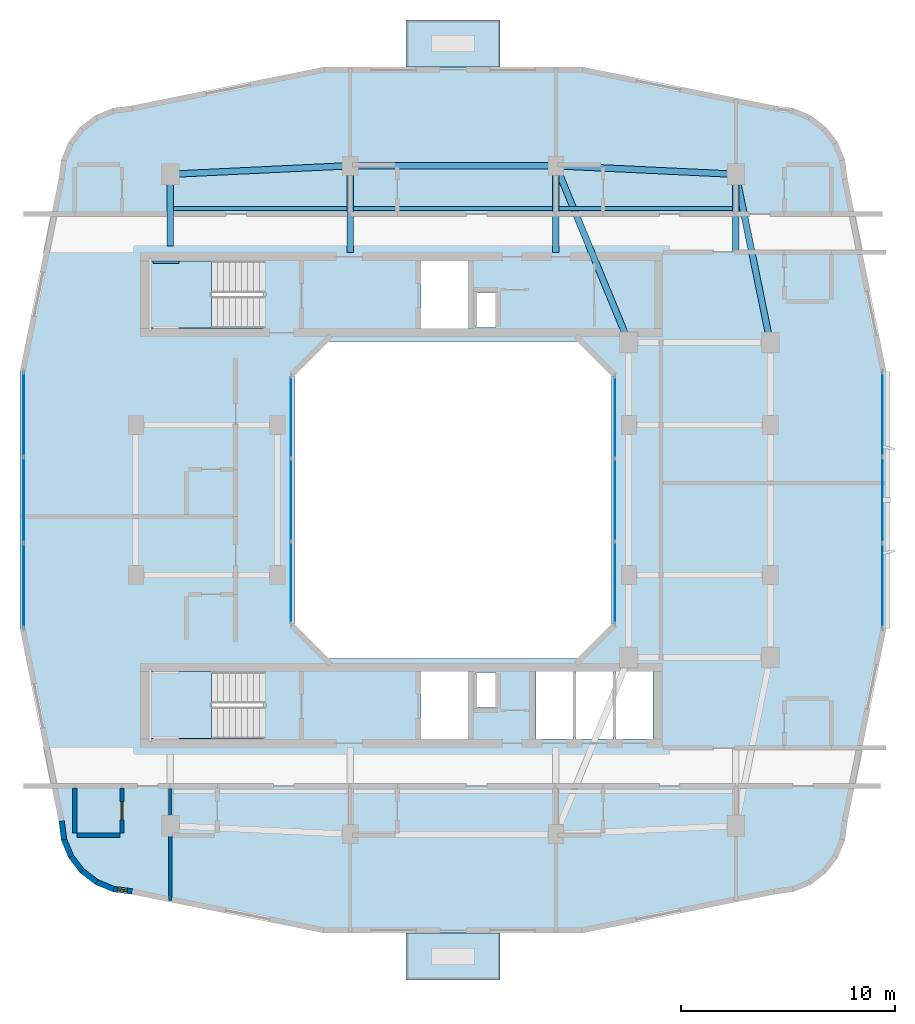
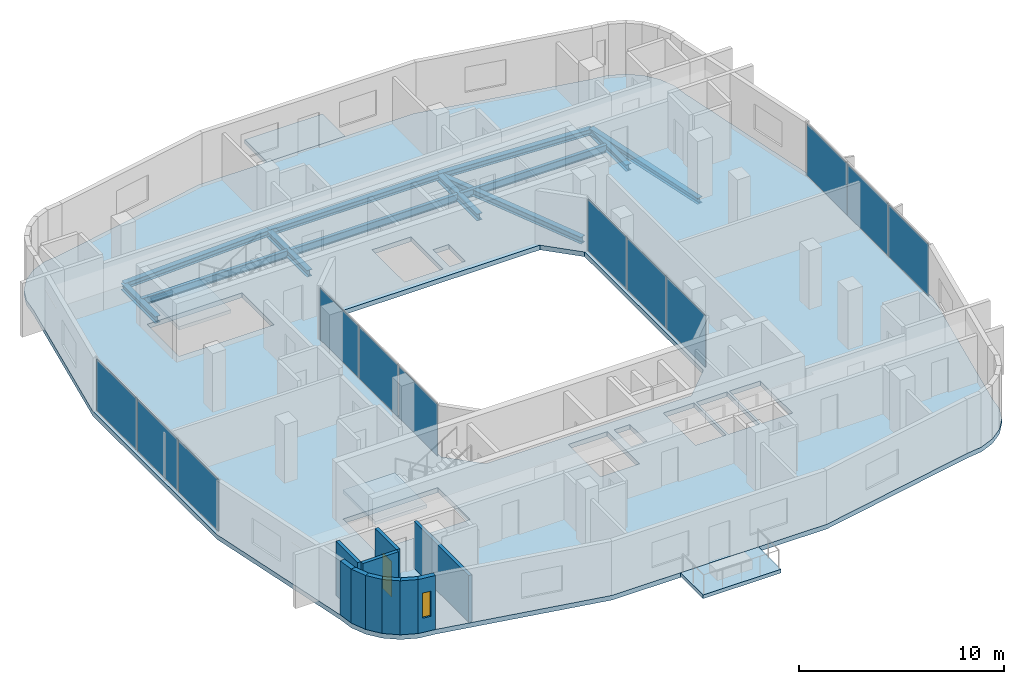
# One storey, part 4 of 13: 13 beams, 12 plates, 10 walls, 5 slabs, 1 door, 1 window, 2 openings, 6 elements without a shape of their own.
"""IFC4 building model written with IfcOpenShell, lengths in metres."""

from ifc_helpers import new_model, si_unit, derived_unit, direction, frame, frame_2d, origin, origin_2d, place, context, subcontext, project, spatial, polyline, rectangle, i_section, outline, extrude, material, layer, layer_set, material_profile, profile_set, type_object, element, fill, aggregate, save


model = new_model("IFC4")

# Units and contexts
model_context = context("Model", 3, precision=1e-05, world=origin(), true_north=direction((0.0, 1.0)))
body_context = subcontext(model_context, "Body", "Model", "MODEL_VIEW")
ifc_project = project(units=[si_unit("LENGTHUNIT", "METRE"), si_unit("AREAUNIT", "SQUARE_METRE"), si_unit("VOLUMEUNIT", "CUBIC_METRE"), si_unit("PLANEANGLEUNIT", "RADIAN"), si_unit("MASSUNIT", "GRAM", prefix="KILO"), derived_unit("THERMALTRANSMITTANCEUNIT", [(si_unit("POWERUNIT", "WATT"), 1), (si_unit("LENGTHUNIT", "METRE"), -2), (si_unit("THERMODYNAMICTEMPERATUREUNIT", "KELVIN"), -1)])], contexts=[model_context])

# Site, building, storey
site_placement = place(None, origin())
site = spatial("IfcSite", under=ifc_project, at=site_placement, CompositionType="ELEMENT")
building_placement = place(site_placement, origin())
building = spatial("IfcBuilding", under=site, at=building_placement, Name="Kivonza Crest Hotel", CompositionType="ELEMENT")
storey_placement = place(building_placement, frame((0.0, 0.0, 155.5)))
storey = spatial("IfcBuildingStorey", under=building, at=storey_placement, Name="L42", CompositionType="ELEMENT", Elevation=155.5)

# Beams
ifc_material_1 = material(Name="Steel S355", Category="steel")
ifc_material_profile_1 = material_profile(ifc_material_1, i_section(OverallWidth=0.300048828125, OverallDepth=0.360107421875, WebThickness=0.012451171875, FlangeThickness=0.0224609375, FilletRadius=0.027099609375, at=origin_2d()), Name="HEB 360")
ifc_profile_set_1 = profile_set([ifc_material_profile_1], Name="Steel S355")
beam_type_1 = type_object("IfcBeamType", Name="BM-HEB360", PredefinedType="SPANDREL", material=ifc_profile_set_1)
beam_1_placement = place(storey_placement, frame((35.800048828125, 32.35009765625, -0.4599609375), z_axis=(-0.199730733965, 0.979850822273, 0.0), x_axis=(-0.979850822273, -0.199730733965, 0.0)))
element("IfcBeam", 1, at=beam_1_placement, inside=storey, type_object=beam_type_1, Name="Tower T1 L42 perimeter spandrel PNE-NE", PredefinedType="SPANDREL", context=body_context, shape_type="SweptSolid", body=[
    extrude(i_section(OverallWidth=0.300048828125, OverallDepth=0.360107421875, WebThickness=0.012451171875, FlangeThickness=0.0224609375, FilletRadius=0.027099609375, at=origin_2d()), origin(), (0.0, 0.0, 1.0), 8.01123046875),
])
beam_2_placement = place(storey_placement, frame((34.199951171875, 40.199951171875, -0.4599609375), z_axis=(-0.998867283688, 0.047583080799, 0.0), x_axis=(-0.047583080799, -0.998867283688, 0.0)))
element("IfcBeam", 2, at=beam_2_placement, inside=storey, type_object=beam_type_1, Name="Tower T1 L42 perimeter spandrel NE-N2", PredefinedType="SPANDREL", context=body_context, shape_type="SweptSolid", body=[
    extrude(i_section(OverallWidth=0.300048828125, OverallDepth=0.360107421875, WebThickness=0.012451171875, FlangeThickness=0.0224609375, FilletRadius=0.027099609375, at=origin_2d()), origin(), (0.0, 0.0, 1.0), 8.409423828125),
])
beam_3_placement = place(storey_placement, frame((25.800048828125, 40.60009765625, -0.4599609375), z_axis=(-1.0, 0.0, 0.0), x_axis=(0.0, -1.0, 0.0)))
element("IfcBeam", 3, at=beam_3_placement, inside=storey, type_object=beam_type_1, Name="Tower T1 L42 perimeter spandrel N2-N1", PredefinedType="SPANDREL", context=body_context, shape_type="SweptSolid", body=[
    extrude(i_section(OverallWidth=0.300048828125, OverallDepth=0.360107421875, WebThickness=0.012451171875, FlangeThickness=0.0224609375, FilletRadius=0.027099609375, at=origin_2d()), origin(), (0.0, 0.0, 1.0), 9.60009765625),
])
beam_4_placement = place(storey_placement, frame((16.199951171875, 40.60009765625, -0.4599609375), z_axis=(-0.998867283688, -0.047583080799, 0.0), x_axis=(0.047583080799, -0.998867283688, 0.0)))
element("IfcBeam", 4, at=beam_4_placement, inside=storey, type_object=beam_type_1, Name="Tower T1 L42 perimeter spandrel N1-NW", PredefinedType="SPANDREL", context=body_context, shape_type="SweptSolid", body=[
    extrude(i_section(OverallWidth=0.300048828125, OverallDepth=0.360107421875, WebThickness=0.012451171875, FlangeThickness=0.0224609375, FilletRadius=0.027099609375, at=origin_2d()), origin(), (0.0, 0.0, 1.0), 8.409423828125),
])
ifc_material_profile_2 = material_profile(ifc_material_1, i_section(OverallWidth=0.300048828125, OverallDepth=0.39990234375, WebThickness=0.013427734375, FlangeThickness=0.02392578125, FilletRadius=0.027099609375, at=origin_2d()), Name="HEB 400")
ifc_profile_set_2 = profile_set([ifc_material_profile_2], Name="Steel S355")
beam_type_2 = type_object("IfcBeamType", Name="BM-HEB400", PredefinedType="BEAM", material=ifc_profile_set_2)
beam_5_placement = place(storey_placement, frame((25.800048828125, 40.60009765625, -0.47998046875), z_axis=(0.381022260404, -0.924565864109, 0.0), x_axis=(0.924565864109, 0.381022260404, 0.0)))
element("IfcBeam", 5, at=beam_5_placement, inside=storey, type_object=beam_type_2, Name="Tower T1 L42 primary girder N1-TNE", PredefinedType="BEAM", context=body_context, shape_type="SweptSolid", body=[
    extrude(i_section(OverallWidth=0.300048828125, OverallDepth=0.39990234375, WebThickness=0.013427734375, FlangeThickness=0.02392578125, FilletRadius=0.027099609375, at=origin_2d()), origin(), (0.0, 0.0, 1.0), 8.923095703125),
])
beam_6_placement = place(storey_placement, frame((7.800048828125, 40.199951171875, -0.47998046875), z_axis=(0.0, -1.0, 0.0), x_axis=(1.0, 0.0, 0.0)))
element("IfcBeam", 6, at=beam_6_placement, inside=storey, type_object=beam_type_2, Name="Tower T1 L42 radial core girder RNW", PredefinedType="BEAM", context=body_context, shape_type="SweptSolid", body=[
    extrude(i_section(OverallWidth=0.300048828125, OverallDepth=0.39990234375, WebThickness=0.013427734375, FlangeThickness=0.02392578125, FilletRadius=0.027099609375, at=origin_2d()), origin(), (0.0, 0.0, 1.0), 3.349853515625),
])
for number, where, z_axis, x_axis, name in (
    (7, (16.199951171875, 40.60009765625, -0.47998046875), (0.0, -1.0, 0.0), (1.0, 0.0, 0.0), "Tower T1 L42 radial core girder RN1"),
    (8, (25.800048828125, 40.60009765625, -0.47998046875), (0.0, -1.0, 0.0), (1.0, 0.0, 0.0), "Tower T1 L42 radial core girder RN2"),
):
    element("IfcBeam", number, at=place(storey_placement, frame(where, z_axis=z_axis, x_axis=x_axis)), inside=storey, type_object=beam_type_2, Name=name, PredefinedType="BEAM", context=body_context, shape_type="SweptSolid", body=[
        extrude(i_section(OverallWidth=0.300048828125, OverallDepth=0.39990234375, WebThickness=0.013427734375, FlangeThickness=0.02392578125, FilletRadius=0.027099609375, at=origin_2d()), origin(), (0.0, 0.0, 1.0), 4.050048828125),
    ])
beam_7_placement = place(storey_placement, frame((34.199951171875, 40.199951171875, -0.47998046875), z_axis=(0.0, -1.0, 0.0), x_axis=(1.0, 0.0, 0.0)))
element("IfcBeam", 9, at=beam_7_placement, inside=storey, type_object=beam_type_2, Name="Tower T1 L42 radial core girder RNE", PredefinedType="BEAM", context=body_context, shape_type="SweptSolid", body=[
    extrude(i_section(OverallWidth=0.300048828125, OverallDepth=0.39990234375, WebThickness=0.013427734375, FlangeThickness=0.02392578125, FilletRadius=0.027099609375, at=origin_2d()), origin(), (0.0, 0.0, 1.0), 3.64990234375),
])
ifc_material_profile_3 = material_profile(ifc_material_1, i_section(OverallWidth=0.18994140625, OverallDepth=0.449951171875, WebThickness=0.009521484375, FlangeThickness=0.0146484375, FilletRadius=0.02099609375, at=origin_2d()), Name="IPE 450")
ifc_profile_set_3 = profile_set([ifc_material_profile_3], Name="Steel S355")
beam_type_3 = type_object("IfcBeamType", Name="BM-IPE450", PredefinedType="JOIST", material=ifc_profile_set_3)
beam_8_placement = place(storey_placement, frame((7.8798828125, 38.60009765625, -0.5048828125), z_axis=(1.0, 0.0, 0.0), x_axis=(0.0, 1.0, 0.0)))
element("IfcBeam", 10, at=beam_8_placement, inside=storey, type_object=beam_type_3, Name="Tower T1 L42 North-West floor joist", PredefinedType="JOIST", context=body_context, shape_type="SweptSolid", body=[
    extrude(i_section(OverallWidth=0.18994140625, OverallDepth=0.449951171875, WebThickness=0.009521484375, FlangeThickness=0.0146484375, FilletRadius=0.02099609375, at=origin_2d()), origin(), (0.0, 0.0, 1.0), 8.240234375),
])
beam_9_placement = place(storey_placement, frame((16.280029296875, 38.60009765625, -0.5048828125), z_axis=(1.0, 0.0, 0.0), x_axis=(0.0, 1.0, 0.0)))
element("IfcBeam", 11, at=beam_9_placement, inside=storey, type_object=beam_type_3, Name="Tower T1 L42 North-Mid floor joist", PredefinedType="JOIST", context=body_context, shape_type="SweptSolid", body=[
    extrude(i_section(OverallWidth=0.18994140625, OverallDepth=0.449951171875, WebThickness=0.009521484375, FlangeThickness=0.0146484375, FilletRadius=0.02099609375, at=origin_2d()), origin(), (0.0, 0.0, 1.0), 9.43994140625),
])
beam_10_placement = place(storey_placement, frame((25.8798828125, 38.60009765625, -0.5048828125), z_axis=(1.0, 0.0, 0.0), x_axis=(0.0, 1.0, 0.0)))
element("IfcBeam", 12, at=beam_10_placement, inside=storey, type_object=beam_type_3, Name="Tower T1 L42 North-East floor joist", PredefinedType="JOIST", context=body_context, shape_type="SweptSolid", body=[
    extrude(i_section(OverallWidth=0.18994140625, OverallDepth=0.449951171875, WebThickness=0.009521484375, FlangeThickness=0.0146484375, FilletRadius=0.02099609375, at=origin_2d()), origin(), (0.0, 0.0, 1.0), 8.240234375),
])
ifc_material_profile_4 = material_profile(ifc_material_1, i_section(OverallWidth=0.1201171875, OverallDepth=0.239990234375, WebThickness=0.006103515625, FlangeThickness=0.009765625, FilletRadius=0.014892578125, at=origin_2d()), Name="IPE 240")
ifc_profile_set_4 = profile_set([ifc_material_profile_4], Name="Steel S355")
beam_type_4 = type_object("IfcBeamType", Name="BM-LLDG-240", PredefinedType="BEAM", material=ifc_profile_set_4)
beam_11_placement = place(storey_placement, frame((6.989990234375, 36.10009765625, 1.429931640625), z_axis=(1.0, 0.0, 0.0), x_axis=(0.0, 1.0, 0.0)))
element("IfcBeam", 13, at=beam_11_placement, inside=storey, type_object=beam_type_4, Name="Stair ST-T1-N L42 North landing corbel", PredefinedType="BEAM", context=body_context, shape_type="SweptSolid", body=[
    extrude(i_section(OverallWidth=0.1201171875, OverallDepth=0.239990234375, WebThickness=0.006103515625, FlangeThickness=0.009765625, FilletRadius=0.014892578125, at=origin_2d()), origin(), (0.0, 0.0, 1.0), 1.2099609375),
])

# Curtain wall, plates
ifc_material_2 = material(Name="Anodised bronze aluminium and low-E double glazing", Category="aluminium")
ifc_layer_1 = layer(ifc_material_2, 0.159912109375)
ifc_layer_set_1 = layer_set([ifc_layer_1], Name="Anodised bronze aluminium and low-E double glazing")
curtain_wall_type_1 = type_object("IfcCurtainWallType", Name="CW-SYS-5", PredefinedType="NOTDEFINED", material=ifc_layer_set_1)
curtain_wall_1_placement = place(storey_placement, origin())
curtain_wall_1 = element("IfcCurtainWall", 14, at=curtain_wall_1_placement, inside=storey, type_object=curtain_wall_type_1, Name="L42 unitised curtain wall CW-WELL-T1-L42-3", PredefinedType="NOTDEFINED")
ifc_material_3 = material(Name="Solar-control low-E double glazing", Category="glass")
ifc_layer_2 = layer(ifc_material_3, 0.028076171875)
ifc_layer_set_2 = layer_set([ifc_layer_2], Name="Solar-control low-E double glazing")
plate_type_1 = type_object("IfcPlateType", Name="CW-PNL-28", PredefinedType="CURTAIN_PANEL", material=ifc_layer_set_2)
plate_1_placement = place(storey_placement, frame((28.56005859375, 21.149658203125, 0.06494140625), z_axis=(0.0, 0.0, 1.0), x_axis=(0.0, 1.0, 0.0)))
plate_1 = element("IfcPlate", 15, at=plate_1_placement, type_object=plate_type_1, Name="CW-5 panel 1.1", PredefinedType="CURTAIN_PANEL", context=body_context, shape_type="SweptSolid", body=[
    extrude(rectangle(XDim=3.769287109375, YDim=0.028076171875, at=origin_2d()), origin(), (0.0, 0.0, 1.0), 3.090087890625),
])
plate_2_placement = place(storey_placement, frame((28.56005859375, 25.0, 0.06494140625), z_axis=(0.0, 0.0, 1.0), x_axis=(0.0, 1.0, 0.0)))
plate_2 = element("IfcPlate", 16, at=plate_2_placement, type_object=plate_type_1, Name="CW-5 panel 2.1", PredefinedType="CURTAIN_PANEL", context=body_context, shape_type="SweptSolid", body=[
    extrude(rectangle(XDim=3.8017578125, YDim=0.028076171875, at=origin_2d()), origin(), (0.0, 0.0, 1.0), 3.090087890625),
])
plate_3_placement = place(storey_placement, frame((28.56005859375, 28.850341796875, 0.06494140625), z_axis=(0.0, 0.0, 1.0), x_axis=(0.0, 1.0, 0.0)))
plate_3 = element("IfcPlate", 17, at=plate_3_placement, type_object=plate_type_1, Name="CW-5 panel 3.1", PredefinedType="CURTAIN_PANEL", context=body_context, shape_type="SweptSolid", body=[
    extrude(rectangle(XDim=3.769287109375, YDim=0.028076171875, at=origin_2d()), origin(), (0.0, 0.0, 1.0), 3.090087890625),
])
aggregate(curtain_wall_1, [plate_1, plate_2, plate_3])

curtain_wall_2_placement = place(storey_placement, origin())
curtain_wall_2 = element("IfcCurtainWall", 18, at=curtain_wall_2_placement, inside=storey, type_object=curtain_wall_type_1, Name="L42 unitised curtain wall CW-WELL-T1-L42-7", PredefinedType="NOTDEFINED")
plate_4_placement = place(storey_placement, frame((13.43994140625, 28.850341796875, 0.06494140625), z_axis=(0.0, 0.0, 1.0), x_axis=(0.0, -1.0, 0.0)))
plate_4 = element("IfcPlate", 19, at=plate_4_placement, type_object=plate_type_1, Name="CW-5 panel 1.1", PredefinedType="CURTAIN_PANEL", context=body_context, shape_type="SweptSolid", body=[
    extrude(rectangle(XDim=3.769287109375, YDim=0.028076171875, at=origin_2d()), origin(), (0.0, 0.0, 1.0), 3.090087890625),
])
plate_5_placement = place(storey_placement, frame((13.43994140625, 25.0, 0.06494140625), z_axis=(0.0, 0.0, 1.0), x_axis=(0.0, -1.0, 0.0)))
plate_5 = element("IfcPlate", 20, at=plate_5_placement, type_object=plate_type_1, Name="CW-5 panel 2.1", PredefinedType="CURTAIN_PANEL", context=body_context, shape_type="SweptSolid", body=[
    extrude(rectangle(XDim=3.8017578125, YDim=0.028076171875, at=origin_2d()), origin(), (0.0, 0.0, 1.0), 3.090087890625),
])
plate_6_placement = place(storey_placement, frame((13.43994140625, 21.149658203125, 0.06494140625), z_axis=(0.0, 0.0, 1.0), x_axis=(0.0, -1.0, 0.0)))
plate_6 = element("IfcPlate", 21, at=plate_6_placement, type_object=plate_type_1, Name="CW-5 panel 3.1", PredefinedType="CURTAIN_PANEL", context=body_context, shape_type="SweptSolid", body=[
    extrude(rectangle(XDim=3.769287109375, YDim=0.028076171875, at=origin_2d()), origin(), (0.0, 0.0, 1.0), 3.090087890625),
])
aggregate(curtain_wall_2, [plate_4, plate_5, plate_6])

ifc_layer_3 = layer(ifc_material_2, 0.179931640625)
ifc_layer_set_3 = layer_set([ifc_layer_3], Name="Anodised bronze aluminium and low-E double glazing")
curtain_wall_type_2 = type_object("IfcCurtainWallType", Name="CW-SYS-3", PredefinedType="NOTDEFINED", material=ifc_layer_set_3)
curtain_wall_3_placement = place(storey_placement, origin())
curtain_wall_3 = element("IfcCurtainWall", 22, at=curtain_wall_3_placement, inside=storey, type_object=curtain_wall_type_2, Name="L42 unitised curtain wall CW-T1-L42-17", PredefinedType="NOTDEFINED")
ifc_material_4 = material(Name="Acoustic triple-laminated low-E glazing", Category="glass")
ifc_layer_4 = layer(ifc_material_4, 0.035888671875)
ifc_layer_set_4 = layer_set([ifc_layer_4], Name="Acoustic triple-laminated low-E glazing")
plate_type_2 = type_object("IfcPlateType", Name="CW-PNL-36", PredefinedType="CURTAIN_PANEL", material=ifc_layer_set_4)
plate_7_placement = place(storey_placement, frame((41.0400390625, 21.00537109375, 0.0751953125), z_axis=(0.0, 0.0, 1.0), x_axis=(0.0, 1.0, 0.0)))
plate_7 = element("IfcPlate", 23, at=plate_7_placement, type_object=plate_type_2, Name="CW-3 panel 1.1", PredefinedType="CURTAIN_PANEL", context=body_context, shape_type="SweptSolid", body=[
    extrude(rectangle(XDim=3.90087890625, YDim=0.035888671875, at=origin_2d()), origin(), (0.0, 0.0, 1.0), 3.070068359375),
])
plate_8_placement = place(storey_placement, frame((41.0400390625, 25.0, 0.0751953125), z_axis=(0.0, 0.0, 1.0), x_axis=(0.0, 1.0, 0.0)))
plate_8 = element("IfcPlate", 24, at=plate_8_placement, type_object=plate_type_2, Name="CW-3 panel 2.1", PredefinedType="CURTAIN_PANEL", context=body_context, shape_type="SweptSolid", body=[
    extrude(rectangle(XDim=3.938232421875, YDim=0.035888671875, at=origin_2d()), origin(), (0.0, 0.0, 1.0), 3.070068359375),
])
plate_9_placement = place(storey_placement, frame((41.0400390625, 28.99462890625, 0.0751953125), z_axis=(0.0, 0.0, 1.0), x_axis=(0.0, 1.0, 0.0)))
plate_9 = element("IfcPlate", 25, at=plate_9_placement, type_object=plate_type_2, Name="CW-3 panel 3.1", PredefinedType="CURTAIN_PANEL", context=body_context, shape_type="SweptSolid", body=[
    extrude(rectangle(XDim=3.90087890625, YDim=0.035888671875, at=origin_2d()), origin(), (0.0, 0.0, 1.0), 3.070068359375),
])
aggregate(curtain_wall_3, [plate_7, plate_8, plate_9])

curtain_wall_4_placement = place(storey_placement, origin())
curtain_wall_4 = element("IfcCurtainWall", 26, at=curtain_wall_4_placement, inside=storey, type_object=curtain_wall_type_2, Name="L42 unitised curtain wall CW-T1-L42-35", PredefinedType="NOTDEFINED")
plate_10_placement = place(storey_placement, frame((0.9599609375, 28.99462890625, 0.0751953125), z_axis=(0.0, 0.0, 1.0), x_axis=(0.0, -1.0, 0.0)))
plate_10 = element("IfcPlate", 27, at=plate_10_placement, type_object=plate_type_2, Name="CW-3 panel 1.1", PredefinedType="CURTAIN_PANEL", context=body_context, shape_type="SweptSolid", body=[
    extrude(rectangle(XDim=3.90087890625, YDim=0.035888671875, at=origin_2d()), origin(), (0.0, 0.0, 1.0), 3.070068359375),
])
plate_11_placement = place(storey_placement, frame((0.9599609375, 25.0, 0.0751953125), z_axis=(0.0, 0.0, 1.0), x_axis=(0.0, -1.0, 0.0)))
plate_11 = element("IfcPlate", 28, at=plate_11_placement, type_object=plate_type_2, Name="CW-3 panel 2.1", PredefinedType="CURTAIN_PANEL", context=body_context, shape_type="SweptSolid", body=[
    extrude(rectangle(XDim=3.938232421875, YDim=0.035888671875, at=origin_2d()), origin(), (0.0, 0.0, 1.0), 3.070068359375),
])
plate_12_placement = place(storey_placement, frame((0.9599609375, 21.00537109375, 0.0751953125), z_axis=(0.0, 0.0, 1.0), x_axis=(0.0, -1.0, 0.0)))
plate_12 = element("IfcPlate", 29, at=plate_12_placement, type_object=plate_type_2, Name="CW-3 panel 3.1", PredefinedType="CURTAIN_PANEL", context=body_context, shape_type="SweptSolid", body=[
    extrude(rectangle(XDim=3.90087890625, YDim=0.035888671875, at=origin_2d()), origin(), (0.0, 0.0, 1.0), 3.070068359375),
])
aggregate(curtain_wall_4, [plate_10, plate_11, plate_12])

# Slab
ifc_material_5 = material(Name="Concrete C40/50", Category="concrete")
ifc_layer_5 = layer(ifc_material_5, 0.280029296875)
ifc_layer_set_5 = layer_set([ifc_layer_5], Name="Concrete C40/50")
slab_type_1 = type_object("IfcSlabType", Name="SL-HTL-280", PredefinedType="FLOOR", material=ifc_layer_set_5)
slab_1_placement = place(storey_placement, frame((0.0, 0.0, -0.280029296875)))
element("IfcSlab", 30, at=slab_1_placement, inside=storey, type_object=slab_type_1, Name="Tower T1 L42 floor slab", PredefinedType="FLOOR", context=body_context, shape_type="SweptSolid", body=[
    extrude(outline(polyline([(2.60009765625, 10.0), (2.716064453125, 9.1201171875), (3.055908203125, 8.300048828125), (3.595947265625, 7.595947265625), (4.300048828125, 7.055908203125), (5.1201171875, 6.716064453125), (6.0, 6.60009765625), (14.93994140625, 4.800048828125), (27.06005859375, 4.800048828125), (36.0, 6.60009765625), (36.8798828125, 6.716064453125), (37.699951171875, 7.055908203125), (38.404052734375, 7.595947265625), (38.944091796875, 8.300048828125), (39.283935546875, 9.1201171875), (39.39990234375, 10.0), (41.199951171875, 18.93994140625), (41.199951171875, 31.06005859375), (39.39990234375, 40.0), (39.283935546875, 40.8798828125), (38.944091796875, 41.699951171875), (38.404052734375, 42.404052734375), (37.699951171875, 42.944091796875), (36.8798828125, 43.283935546875), (36.0, 43.39990234375), (27.06005859375, 45.199951171875), (14.93994140625, 45.199951171875), (6.0, 43.39990234375), (5.1201171875, 43.283935546875), (4.300048828125, 42.944091796875), (3.595947265625, 42.404052734375), (3.055908203125, 41.699951171875), (2.716064453125, 40.8798828125), (2.60009765625, 40.0), (0.800048828125, 31.06005859375), (0.800048828125, 18.93994140625), (2.60009765625, 10.0)]), holes=[polyline([(15.199951171875, 17.60009765625), (26.800048828125, 17.60009765625), (28.39990234375, 19.199951171875), (28.39990234375, 30.800048828125), (26.800048828125, 32.39990234375), (15.199951171875, 32.39990234375), (13.60009765625, 30.800048828125), (13.60009765625, 19.199951171875), (15.199951171875, 17.60009765625)]), polyline([(6.800048828125, 33.02001953125), (12.159912109375, 33.02001953125), (12.159912109375, 36.159912109375), (6.800048828125, 36.159912109375), (6.800048828125, 33.02001953125)]), polyline([(6.800048828125, 13.860107421875), (12.159912109375, 13.860107421875), (12.159912109375, 17.0), (6.800048828125, 17.0), (6.800048828125, 13.860107421875)]), polyline([(22.080078125, 33.0400390625), (22.969970703125, 33.0400390625), (22.969970703125, 34.679931640625), (22.080078125, 34.679931640625), (22.080078125, 33.0400390625)]), polyline([(22.080078125, 15.320068359375), (22.969970703125, 15.320068359375), (22.969970703125, 16.9599609375), (22.080078125, 16.9599609375), (22.080078125, 15.320068359375)]), polyline([(19.5, 33.0), (21.699951171875, 33.0), (21.699951171875, 36.159912109375), (19.5, 36.159912109375), (19.5, 33.0)]), polyline([(19.5, 13.840087890625), (21.699951171875, 13.840087890625), (21.699951171875, 17.0), (19.5, 17.0), (19.5, 13.840087890625)]), polyline([(24.860107421875, 13.840087890625), (26.60693359375, 13.840087890625), (26.60693359375, 17.0), (24.860107421875, 17.0), (24.860107421875, 13.840087890625)]), polyline([(26.72705078125, 13.840087890625), (28.472900390625, 13.840087890625), (28.472900390625, 17.0), (26.72705078125, 17.0), (26.72705078125, 13.840087890625)]), polyline([(28.593017578125, 13.840087890625), (30.340087890625, 13.840087890625), (30.340087890625, 17.0), (28.593017578125, 17.0), (28.593017578125, 13.840087890625)])]), origin(), (0.0, 0.0, 1.0), 0.280029296875),
])

# Stair, slab
stair_type = type_object("IfcStairType", Name="ST-DL-20R", PredefinedType="HALF_TURN_STAIR", material=ifc_material_5)
stair_1_placement = place(storey_placement, origin())
stair_1 = element("IfcStair", 31, at=stair_1_placement, inside=storey, type_object=stair_type, Name="L42 Protected Exit Stair ST-T1-N", PredefinedType="HALF_TURN_STAIR")
ifc_layer_6 = layer(ifc_material_5, 0.199951171875)
ifc_layer_set_6 = layer_set([ifc_layer_6], Name="Concrete C40/50")
slab_type_2 = type_object("IfcSlabType", Name="SL-LAND-200", PredefinedType="LANDING", material=ifc_layer_set_6)
slab_2_placement = place(storey_placement, frame((0.0, 0.0, 1.550048828125)))
slab_2 = element("IfcSlab", 32, at=slab_2_placement, type_object=slab_type_2, Name="ST-T1-N landing 1", PredefinedType="LANDING", context=body_context, shape_type="SweptSolid", body=[
    extrude(outline(polyline([(9.719970703125, 36.159912109375), (6.800048828125, 36.159912109375), (6.800048828125, 33.02001953125), (9.719970703125, 33.02001953125), (9.719970703125, 36.159912109375)])), origin(), (0.0, 0.0, 1.0), 0.199951171875),
])
aggregate(stair_1, [slab_2])

stair_2_placement = place(storey_placement, origin())
stair_2 = element("IfcStair", 33, at=stair_2_placement, inside=storey, type_object=stair_type, Name="L42 Protected Exit Stair ST-T1-S", PredefinedType="HALF_TURN_STAIR")
slab_3_placement = place(storey_placement, frame((0.0, 0.0, 1.550048828125)))
slab_3 = element("IfcSlab", 34, at=slab_3_placement, type_object=slab_type_2, Name="ST-T1-S landing 1", PredefinedType="LANDING", context=body_context, shape_type="SweptSolid", body=[
    extrude(outline(polyline([(9.719970703125, 17.0), (6.800048828125, 17.0), (6.800048828125, 13.860107421875), (9.719970703125, 13.860107421875), (9.719970703125, 17.0)])), origin(), (0.0, 0.0, 1.0), 0.199951171875),
])
aggregate(stair_2, [slab_3])

# Slabs
ifc_layer_7 = layer(ifc_material_5, 0.219970703125)
ifc_layer_set_7 = layer_set([ifc_layer_7], Name="Concrete C40/50")
slab_type_3 = type_object("IfcSlabType", Name="SL-SKYG-220", PredefinedType="FLOOR", material=ifc_layer_set_7)
slab_4_placement = place(storey_placement, frame((0.0, 0.0, -0.219970703125)))
element("IfcSlab", 35, at=slab_4_placement, inside=storey, type_object=slab_type_3, Name="Tower T1 L42 SW planted sky-garden bridge", PredefinedType="FLOOR", context=body_context, shape_type="SweptSolid", body=[
    extrude(outline(polyline([(18.800048828125, 2.60009765625), (23.199951171875, 2.60009765625), (23.199951171875, 4.800048828125), (18.800048828125, 4.800048828125), (18.800048828125, 2.60009765625)])), origin(), (0.0, 0.0, 1.0), 0.219970703125),
])
slab_5_placement = place(storey_placement, frame((0.0, 0.0, -0.219970703125)))
element("IfcSlab", 36, at=slab_5_placement, inside=storey, type_object=slab_type_3, Name="Tower T1 L42 NE planted sky-garden bridge", PredefinedType="FLOOR", context=body_context, shape_type="SweptSolid", body=[
    extrude(outline(polyline([(18.800048828125, 45.199951171875), (23.199951171875, 45.199951171875), (23.199951171875, 47.39990234375), (18.800048828125, 47.39990234375), (18.800048828125, 45.199951171875)])), origin(), (0.0, 0.0, 1.0), 0.219970703125),
])

# Walls
ifc_material_6 = material(Name="High-density acoustic masonry inter-tenancy wall", Category="masonry")
ifc_layer_8 = layer(ifc_material_6, 0.179931640625)
ifc_layer_set_8 = layer_set([ifc_layer_8], Name="High-density acoustic masonry inter-tenancy wall")
wall_type_1 = type_object("IfcWallType", Name="WL-ACOU-180", PredefinedType="SOLIDWALL", material=ifc_layer_set_8)
wall_1_placement = place(storey_placement, frame((7.800048828125, 6.299072265625, 0.0), z_axis=(0.0, 0.0, 1.0), x_axis=(0.0, 1.0, 0.0)))
element("IfcWall", 37, at=wall_1_placement, inside=storey, type_object=wall_type_1, Name="L42 interior partition WA-L42-T1S-DIV1", PredefinedType="SOLIDWALL", context=body_context, shape_type="SweptSolid", body=[
    extrude(rectangle(XDim=5.350830078125, YDim=0.179931640625, at=frame_2d((2.67529296875, 0.0))), origin(), (0.0, 0.0, 1.0), 2.794921875),
])
ifc_material_7 = material(Name="Precast concrete C40/50", Category="concrete")
ifc_layer_9 = layer(ifc_material_7, 0.260009765625)
ifc_layer_set_9 = layer_set([ifc_layer_9], Name="Precast concrete C40/50")
wall_type_2 = type_object("IfcWallType", Name="WL-EXT-260", PredefinedType="STANDARD", material=ifc_layer_set_9)
wall_2_placement = place(storey_placement, frame((2.72802734375, 10.02490234375, 0.0), z_axis=(0.0, 0.0, 1.0), x_axis=(0.130953706898, -0.991388484223, 0.0)))
element("IfcWall", 38, at=wall_2_placement, inside=storey, type_object=wall_type_2, Name="L42 T1 exterior insulated wall 1", PredefinedType="STANDARD", context=body_context, shape_type="SweptSolid", body=[
    extrude(rectangle(XDim=0.885498046875, YDim=0.260009765625, at=frame_2d((0.44287109375, 0.0))), origin(), (0.0, 0.0, 1.0), 3.219970703125),
])
wall_3_placement = place(storey_placement, frame((2.825927734375, 9.193115234375, 0.0), z_axis=(0.0, 0.0, 1.0), x_axis=(0.383290660547, -0.923627776508, 0.0)))
element("IfcWall", 39, at=wall_3_placement, inside=storey, type_object=wall_type_2, Name="L42 T1 exterior insulated wall 2", PredefinedType="STANDARD", context=body_context, shape_type="SweptSolid", body=[
    extrude(rectangle(XDim=0.9033203125, YDim=0.260009765625, at=frame_2d((0.45166015625, 0.0))), origin(), (0.0, 0.0, 1.0), 3.219970703125),
])
wall_4_placement = place(storey_placement, frame((3.14404296875, 8.39892578125, 0.0), z_axis=(0.0, 0.0, 1.0), x_axis=(0.608624690463, -0.793458244748, 0.0)))
element("IfcWall", 40, at=wall_4_placement, inside=storey, type_object=wall_type_2, Name="L42 T1 exterior insulated wall 3", PredefinedType="STANDARD", context=body_context, shape_type="SweptSolid", body=[
    extrude(rectangle(XDim=0.902099609375, YDim=0.260009765625, at=frame_2d((0.451171875, 0.0))), origin(), (0.0, 0.0, 1.0), 3.219970703125),
])
wall_5_placement = place(storey_placement, frame((3.655029296875, 7.714111328125, 0.0), z_axis=(0.0, 0.0, 1.0), x_axis=(0.793558456666, -0.608494022858, 0.0)))
element("IfcWall", 41, at=wall_5_placement, inside=storey, type_object=wall_type_2, Name="L42 T1 exterior insulated wall 4", PredefinedType="STANDARD", context=body_context, shape_type="SweptSolid", body=[
    extrude(rectangle(XDim=0.90234375, YDim=0.260009765625, at=frame_2d((0.451171875, 0.0))), origin(), (0.0, 0.0, 1.0), 3.219970703125),
])
wall_6_placement = place(storey_placement, frame((4.326904296875, 7.18603515625, 0.0), z_axis=(0.0, 0.0, 1.0), x_axis=(0.923683767999, -0.383155708213, 0.0)))
element("IfcWall", 42, at=wall_6_placement, inside=storey, type_object=wall_type_2, Name="L42 T1 exterior insulated wall 5", PredefinedType="STANDARD", context=body_context, shape_type="SweptSolid", body=[
    extrude(rectangle(XDim=0.90283203125, YDim=0.260009765625, at=frame_2d((0.451416015625, 0.0))), origin(), (0.0, 0.0, 1.0), 3.219970703125),
])

# Wall, opening, window
wall_7_placement = place(storey_placement, frame((5.112060546875, 6.847900390625, 0.0), z_axis=(0.0, 0.0, 1.0), x_axis=(0.991487658083, -0.130200706103, 0.0)))
wall_7 = element("IfcWall", 43, at=wall_7_placement, inside=storey, type_object=wall_type_2, Name="L42 T1 exterior insulated wall 6", PredefinedType="STANDARD", context=body_context, shape_type="SweptSolid", body=[
    extrude(rectangle(XDim=0.920654296875, YDim=0.260009765625, at=frame_2d((0.46044921875, 0.0))), origin(), (0.0, 0.0, 1.0), 3.219970703125),
])
opening_1_placement = place(wall_7_placement, frame((0.235107421875, 0.0, 0.85009765625)))
opening_1 = element("IfcOpeningElement", 44, at=opening_1_placement, cuts=wall_7, Name="Opening WN-11", PredefinedType="OPENING", context=body_context, shape_type="SweptSolid", body=[
    extrude(rectangle(XDim=0.449951171875, YDim=1.5, at=frame_2d((0.22509765625, 0.75))), frame((0.0, 0.14013671875, 0.0), z_axis=(0.0, -1.0, 0.0), x_axis=(1.0, 0.0, 0.0)), (0.0, 0.0, 1.0), 0.280029296875),
])
ifc_material_8 = material(Name="Thermally broken bronze aluminium and low-E double glazing", Category="aluminium")
window_type = type_object("IfcWindowType", Name="WN-045x150", PartitioningType="SINGLE_PANEL", PredefinedType="WINDOW", material=ifc_material_8)
window_placement = place(opening_1_placement, origin())
window = element("IfcWindow", 45, at=window_placement, inside=storey, type_object=window_type, Name="L42 corner vision window 2", OverallHeight=1.5, OverallWidth=0.449951171875, PartitioningType="SINGLE_PANEL", PredefinedType="WINDOW", context=body_context, shape_type="SweptSolid", body=[
    extrude(rectangle(XDim=0.449951171875, YDim=1.5, at=frame_2d((0.22509765625, 0.75))), frame((0.0, 0.030029296875, 0.0), z_axis=(0.0, -1.0, 0.0), x_axis=(1.0, 0.0, 0.0)), (0.0, 0.0, 1.0), 0.06005859375),
])
fill(opening_1, window)

# Wall, opening, door
ifc_material_9 = material(Name="Moisture-resistant plumbing chase partition wall", Category="gypsum")
ifc_layer_10 = layer(ifc_material_9, 0.199951171875)
ifc_layer_set_10 = layer_set([ifc_layer_10], Name="Moisture-resistant plumbing chase partition wall")
wall_type_3 = type_object("IfcWallType", Name="WL-PLUMB-200", PredefinedType="PLUMBINGWALL", material=ifc_layer_set_10)
wall_8_placement = place(storey_placement, frame((5.550048828125, 9.449951171875, 0.0), z_axis=(0.0, 0.0, 1.0), x_axis=(0.0, 1.0, 0.0)))
wall_8 = element("IfcWall", 46, at=wall_8_placement, inside=storey, type_object=wall_type_3, Name="L42 interior partition WW-L42-S05-BV", PredefinedType="PLUMBINGWALL", context=body_context, shape_type="SweptSolid", body=[
    extrude(rectangle(XDim=2.10009765625, YDim=0.199951171875, at=frame_2d((1.050048828125, 0.0))), origin(), (0.0, 0.0, 1.0), 3.219970703125),
])
opening_2_placement = place(wall_8_placement, frame((0.625, 0.0, 0.0)))
opening_2 = element("IfcOpeningElement", 47, at=opening_2_placement, cuts=wall_8, Name="Opening DI-85", PredefinedType="OPENING", context=body_context, shape_type="SweptSolid", body=[
    extrude(rectangle(XDim=0.85009765625, YDim=2.10009765625, at=frame_2d((0.425048828125, 1.050048828125))), frame((0.0, 0.10986328125, 0.0), z_axis=(0.0, -1.0, 0.0), x_axis=(1.0, 0.0, 0.0)), (0.0, 0.0, 1.0), 0.219970703125),
])
ifc_material_10 = material(Name="Hardwood timber oak", Category="wood")
door_type = type_object("IfcDoorType", Name="DR-INT-850", OperationType="NOTDEFINED", PredefinedType="DOOR", material=ifc_material_10)
door_placement = place(opening_2_placement, frame((0.85009765625, 0.0, 0.0), z_axis=(0.0, 0.0, 1.0), x_axis=(-1.0, 0.0, 0.0)))
door = element("IfcDoor", 48, at=door_placement, inside=storey, type_object=door_type, Name="L42 S05 en-suite bathroom door", OperationType="SINGLE_SWING_RIGHT", OverallHeight=2.10009765625, OverallWidth=0.85009765625, PredefinedType="DOOR", context=body_context, shape_type="SweptSolid", body=[
    extrude(rectangle(XDim=0.85009765625, YDim=2.10009765625, at=frame_2d((0.425048828125, 1.050048828125))), frame((0.0, 0.02490234375, 0.0), z_axis=(0.0, -1.0, 0.0), x_axis=(1.0, 0.0, 0.0)), (0.0, 0.0, 1.0), 0.050048828125),
])
fill(opening_2, door)

# Walls
wall_9_placement = place(storey_placement, frame((3.449951171875, 9.35009765625, 0.0), z_axis=(0.0, 0.0, 1.0), x_axis=(1.0, 0.0, 0.0)))
element("IfcWall", 49, at=wall_9_placement, inside=storey, type_object=wall_type_3, Name="L42 interior partition WW-L42-S05-BH", PredefinedType="PLUMBINGWALL", context=body_context, shape_type="SweptSolid", body=[
    extrude(rectangle(XDim=2.0, YDim=0.199951171875, at=frame_2d((1.0, 0.0))), origin(), (0.0, 0.0, 1.0), 3.219970703125),
])
wall_10_placement = place(storey_placement, frame((3.35009765625, 9.449951171875, 0.0), z_axis=(0.0, 0.0, 1.0), x_axis=(0.0, 1.0, 0.0)))
element("IfcWall", 50, at=wall_10_placement, inside=storey, type_object=wall_type_3, Name="L42 interior partition WW-L42-S05-BVW", PredefinedType="PLUMBINGWALL", context=body_context, shape_type="SweptSolid", body=[
    extrude(rectangle(XDim=2.10009765625, YDim=0.199951171875, at=frame_2d((1.050048828125, 0.0))), origin(), (0.0, 0.0, 1.0), 3.219970703125),
])

save(model, "model.ifc")
